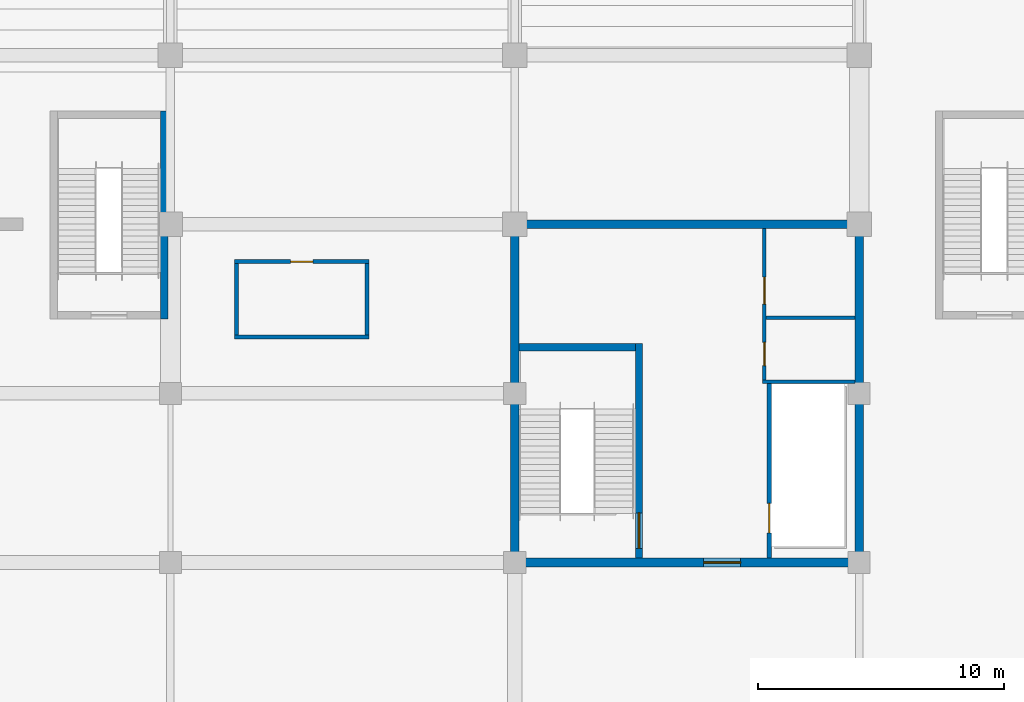
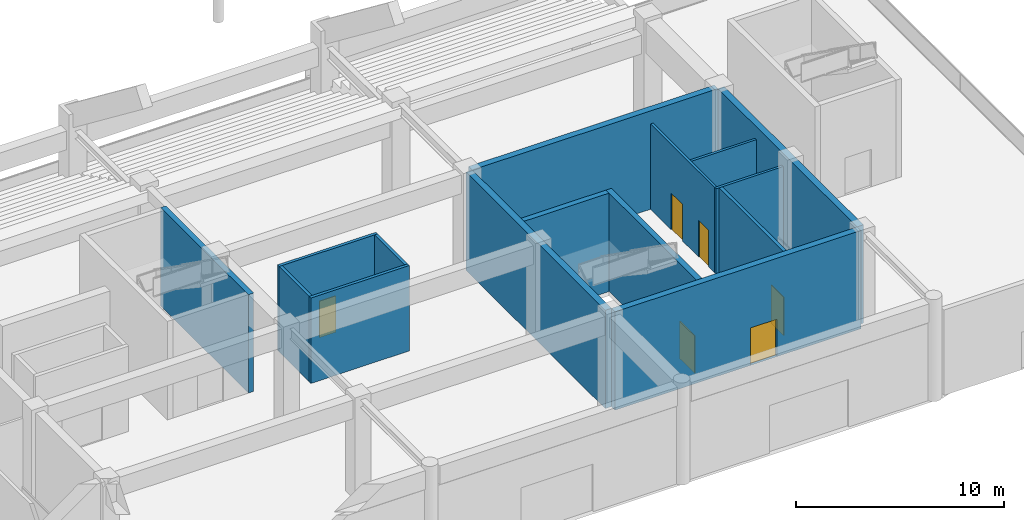
# One storey, part 40 of 73: 15 walls, 6 doors, 6 openings.
"""IFC4 building model written with IfcOpenShell, lengths in metres."""

from ifc_helpers import new_model, si_unit, direction, frame, frame_2d, origin, place, context, subcontext, project, spatial, rectangle, extrude, material, layer, layer_set, type_object, element, fill, save


model = new_model("IFC4")

# Units and contexts
model_context = context("Model", 3, precision=1e-05, world=origin(), true_north=direction((0.0, 1.0)))
body_context = subcontext(model_context, "Body", "Model", "MODEL_VIEW")
ifc_project = project(units=[si_unit("LENGTHUNIT", "METRE"), si_unit("AREAUNIT", "SQUARE_METRE"), si_unit("VOLUMEUNIT", "CUBIC_METRE"), si_unit("PLANEANGLEUNIT", "RADIAN"), si_unit("MASSUNIT", "GRAM", prefix="KILO")], contexts=[model_context])

# Site, building, storey
site_placement = place(None, origin())
site = spatial("IfcSite", under=ifc_project, at=site_placement, CompositionType="ELEMENT")
building_placement = place(site_placement, origin())
building = spatial("IfcBuilding", under=site, at=building_placement, Name="Linyun Crest Stadium", CompositionType="ELEMENT")
storey_placement = place(building_placement, origin())
storey = spatial("IfcBuildingStorey", under=building, at=storey_placement, Name="L01", CompositionType="ELEMENT", Elevation=0.0)

# Walls
ifc_material_1 = material(Name="Concrete C50", Category="concrete")
ifc_layer_1 = layer(ifc_material_1, 0.35009765625)
ifc_layer_set_1 = layer_set([ifc_layer_1], Name="Concrete C50")
wall_type_1 = type_object("IfcWallType", Name="CW01", PredefinedType="SHEAR", material=ifc_layer_set_1)
for number, where, z_axis, x_axis, name in (
    (1, (14.0, -87.074951171875, 0.0), (0.0, 0.0, 1.0), (0.0, 1.0, 0.0), "Core shear wall CW01 CORE-S2 L01.1"),
    (2, (28.0, -87.074951171875, 0.0), (0.0, 0.0, 1.0), (0.0, 1.0, 0.0), "Core shear wall CW01 CORE-S2 L01.2"),
):
    element("IfcWall", number, at=place(storey_placement, frame(where, z_axis=z_axis, x_axis=x_axis)), inside=storey, type_object=wall_type_1, Name=name, PredefinedType="SHEAR", context=body_context, shape_type="SweptSolid", body=[
        extrude(rectangle(XDim=13.39990234375, YDim=0.35009765625, at=frame_2d((6.699951171875, 0.0))), origin(), (0.0, 0.0, 1.0), 5.780029296875),
    ])

# Wall, opening, door
wall_1_placement = place(storey_placement, frame((14.175048828125, -87.25, 0.0), z_axis=(0.0, 0.0, 1.0), x_axis=(1.0, 0.0, 0.0)))
wall_1 = element("IfcWall", 3, at=wall_1_placement, inside=storey, type_object=wall_type_1, Name="Core shear wall CW01 CORE-S2 L01.3", PredefinedType="SHEAR", context=body_context, shape_type="SweptSolid", body=[
    extrude(rectangle(XDim=13.64990234375, YDim=0.35009765625, at=frame_2d((6.824951171875, 0.0))), origin(), (0.0, 0.0, 1.0), 5.780029296875),
])
opening_1_placement = place(wall_1_placement, frame((7.507080078125, 0.0, 0.0)))
opening_1 = element("IfcOpeningElement", 4, at=opening_1_placement, cuts=wall_1, Name="Opening D-L01-346", PredefinedType="OPENING", context=body_context, shape_type="SweptSolid", body=[
    extrude(rectangle(XDim=1.5, YDim=2.199951171875, at=frame_2d((0.75, 1.10009765625))), frame((0.0, 0.18505859375, 0.0), z_axis=(0.0, -1.0, 0.0), x_axis=(1.0, 0.0, 0.0)), (0.0, 0.0, 1.0), 0.3701171875),
])
ifc_material_2 = material(Name="Galvanized steel Class A fire door", Category="steel")
ifc_layer_2 = layer(ifc_material_2, 0.054931640625)
ifc_layer_set_2 = layer_set([ifc_layer_2], Name="Galvanized steel Class A fire door")
door_type_1 = type_object("IfcDoorType", Name="FD01", OperationType="NOTDEFINED", PredefinedType="DOOR", material=ifc_layer_set_2)
door_1_placement = place(opening_1_placement, origin())
door_1 = element("IfcDoor", 5, at=door_1_placement, inside=storey, type_object=door_type_1, Name="Door D-L01-346", OperationType="SINGLE_SWING_RIGHT", OverallHeight=2.199951171875, OverallWidth=1.5, PredefinedType="DOOR", context=body_context, shape_type="SweptSolid", body=[
    extrude(rectangle(XDim=1.5, YDim=2.199951171875, at=frame_2d((0.75, 1.10009765625))), frame((0.0, 0.02490234375, 0.0), z_axis=(0.0, -1.0, 0.0), x_axis=(1.0, 0.0, 0.0)), (0.0, 0.0, 1.0), 0.050048828125),
])
fill(opening_1, door_1)

# Wall
wall_2_placement = place(storey_placement, frame((14.175048828125, -73.5, 0.0), z_axis=(0.0, 0.0, 1.0), x_axis=(1.0, 0.0, 0.0)))
element("IfcWall", 6, at=wall_2_placement, inside=storey, type_object=wall_type_1, Name="Core shear wall CW01 CORE-S2 L01.4", PredefinedType="SHEAR", context=body_context, shape_type="SweptSolid", body=[
    extrude(rectangle(XDim=13.64990234375, YDim=0.35009765625, at=frame_2d((6.824951171875, 0.0))), origin(), (0.0, 0.0, 1.0), 5.780029296875),
])

# Wall, opening, door
ifc_material_3 = material(Name="Autoclaved aerated concrete block fire partition", Category="concrete")
ifc_layer_3 = layer(ifc_material_3, 0.179931640625)
ifc_layer_set_3 = layer_set([ifc_layer_3], Name="Autoclaved aerated concrete block fire partition")
wall_type_2 = type_object("IfcWallType", Name="PW12", PredefinedType="PARTITIONING", material=ifc_layer_set_3)
wall_3_placement = place(storey_placement, frame((24.35009765625, -87.074951171875, 0.0), z_axis=(0.0, 0.0, 1.0), x_axis=(0.0, 1.0, 0.0)))
wall_3 = element("IfcWall", 7, at=wall_3_placement, inside=storey, type_object=wall_type_2, Name="Partition PW12 L01 123", PredefinedType="PARTITIONING", context=body_context, shape_type="SweptSolid", body=[
    extrude(rectangle(XDim=7.10498046875, YDim=0.179931640625, at=frame_2d((3.552490234375, 0.0))), origin(), (0.0, 0.0, 1.0), 5.02001953125),
])
opening_2_placement = place(wall_3_placement, frame((1.02490234375, 0.0, 0.0)))
opening_2 = element("IfcOpeningElement", 8, at=opening_2_placement, cuts=wall_3, Name="Opening LD103", PredefinedType="OPENING", context=body_context, shape_type="SweptSolid", body=[
    extrude(rectangle(XDim=1.199951171875, YDim=2.25, at=frame_2d((0.60009765625, 1.125))), frame((0.0, 0.099853515625, 0.0), z_axis=(0.0, -1.0, 0.0), x_axis=(1.0, 0.0, 0.0)), (0.0, 0.0, 1.0), 0.199951171875),
])
ifc_material_4 = material(Name="Brushed stainless sliding lift door")
ifc_layer_4 = layer(ifc_material_4, 0.050048828125)
ifc_layer_set_4 = layer_set([ifc_layer_4], Name="Brushed stainless sliding lift door")
door_type_2 = type_object("IfcDoorType", Name="LD02", OperationType="NOTDEFINED", PredefinedType="DOOR", material=ifc_layer_set_4)
door_2_placement = place(opening_2_placement, origin())
door_2 = element("IfcDoor", 9, at=door_2_placement, inside=storey, type_object=door_type_2, Name="Lift landing door LD103", OperationType="DOUBLE_DOOR_SLIDING", OverallHeight=2.25, OverallWidth=1.199951171875, PredefinedType="DOOR", context=body_context, shape_type="SweptSolid", body=[
    extrude(rectangle(XDim=1.199951171875, YDim=2.25, at=frame_2d((0.60009765625, 1.125))), frame((0.0, 0.02490234375, 0.0), z_axis=(0.0, -1.0, 0.0), x_axis=(1.0, 0.0, 0.0)), (0.0, 0.0, 1.0), 0.050048828125),
])
fill(opening_2, door_2)

ifc_material_5 = material(Name="Double steel-stud acoustic fire partition", Category="steel")
ifc_layer_5 = layer(ifc_material_5, 0.1650390625)
ifc_layer_set_5 = layer_set([ifc_layer_5], Name="Double steel-stud acoustic fire partition")
wall_type_3 = type_object("IfcWallType", Name="PW13", PredefinedType="PARTITIONING", material=ifc_layer_set_5)
wall_4_placement = place(storey_placement, frame((2.60693359375, -75.01904296875, 0.0), z_axis=(0.0, 0.0, 1.0), x_axis=(1.0, 0.0, 0.0)))
wall_4 = element("IfcWall", 10, at=wall_4_placement, inside=storey, type_object=wall_type_3, Name="Partition PW13 L01 175", PredefinedType="PARTITIONING", context=body_context, shape_type="SweptSolid", body=[
    extrude(rectangle(XDim=5.469970703125, YDim=0.1650390625, at=frame_2d((2.73486328125, 0.0))), origin(), (0.0, 0.0, 1.0), 5.02001953125),
])
opening_3_placement = place(wall_4_placement, frame((2.284912109375, 0.0, 0.0)))
opening_3 = element("IfcOpeningElement", 11, at=opening_3_placement, cuts=wall_4, Name="Opening D-L01-438", PredefinedType="OPENING", context=body_context, shape_type="SweptSolid", body=[
    extrude(rectangle(XDim=0.89990234375, YDim=2.14990234375, at=frame_2d((0.449951171875, 1.074951171875))), frame((0.0, 0.092529296875, 0.0), z_axis=(0.0, -1.0, 0.0), x_axis=(1.0, 0.0, 0.0)), (0.0, 0.0, 1.0), 0.18505859375),
])
ifc_material_6 = material(Name="Acoustic glazed booth door")
ifc_layer_6 = layer(ifc_material_6, 0.050048828125)
ifc_layer_set_6 = layer_set([ifc_layer_6], Name="Acoustic glazed booth door")
door_type_3 = type_object("IfcDoorType", Name="ID11", OperationType="NOTDEFINED", PredefinedType="DOOR", material=ifc_layer_set_6)
door_3_placement = place(opening_3_placement, origin())
door_3 = element("IfcDoor", 12, at=door_3_placement, inside=storey, type_object=door_type_3, Name="Door D-L01-438", OperationType="SINGLE_SWING_RIGHT", OverallHeight=2.14990234375, OverallWidth=0.89990234375, PredefinedType="DOOR", context=body_context, shape_type="SweptSolid", body=[
    extrude(rectangle(XDim=0.89990234375, YDim=2.14990234375, at=frame_2d((0.449951171875, 1.074951171875))), frame((0.0, 0.02490234375, 0.0), z_axis=(0.0, -1.0, 0.0), x_axis=(1.0, 0.0, 0.0)), (0.0, 0.0, 1.0), 0.050048828125),
])
fill(opening_3, door_3)

# Walls
wall_5_placement = place(storey_placement, frame((2.60693359375, -78.0791015625, 0.0), z_axis=(0.0, 0.0, 1.0), x_axis=(1.0, 0.0, 0.0)))
element("IfcWall", 13, at=wall_5_placement, inside=storey, type_object=wall_type_3, Name="Enclosure partition PW13 L01 241", PredefinedType="PARTITIONING", context=body_context, shape_type="SweptSolid", body=[
    extrude(rectangle(XDim=5.469970703125, YDim=0.1650390625, at=frame_2d((2.73486328125, 0.0))), origin(), (0.0, 0.0, 1.0), 5.02001953125),
])
for number, where, z_axis, x_axis, name in (
    (14, (2.68994140625, -77.99609375, 0.0), (0.0, 0.0, 1.0), (0.0, 1.0, 0.0), "Enclosure partition PW13 L01 242"),
    (15, (7.993896484375, -77.99609375, 0.0), (0.0, 0.0, 1.0), (0.0, 1.0, 0.0), "Enclosure partition PW13 L01 243"),
):
    element("IfcWall", number, at=place(storey_placement, frame(where, z_axis=z_axis, x_axis=x_axis)), inside=storey, type_object=wall_type_3, Name=name, PredefinedType="PARTITIONING", context=body_context, shape_type="SweptSolid", body=[
        extrude(rectangle(XDim=2.89404296875, YDim=0.1650390625, at=frame_2d((1.447021484375, 0.0))), origin(), (0.0, 0.0, 1.0), 5.02001953125),
    ])

# Wall, openings, doors
ifc_material_7 = material(Name="Moisture-resistant ceramic-tiled wet-room wall")
ifc_layer_7 = layer(ifc_material_7, 0.139892578125)
ifc_layer_set_7 = layer_set([ifc_layer_7], Name="Moisture-resistant ceramic-tiled wet-room wall")
wall_type_4 = type_object("IfcWallType", Name="PW15", PredefinedType="PARTITIONING", material=ifc_layer_set_7)
wall_6_placement = place(storey_placement, frame((24.14990234375, -79.830078125, 0.0), z_axis=(0.0, 0.0, 1.0), x_axis=(0.0, 1.0, 0.0)))
wall_6 = element("IfcWall", 16, at=wall_6_placement, inside=storey, type_object=wall_type_4, Name="Partition PW15 L01 124", PredefinedType="PARTITIONING", context=body_context, shape_type="SweptSolid", body=[
    extrude(rectangle(XDim=6.155029296875, YDim=0.139892578125, at=frame_2d((3.07763671875, 0.0))), origin(), (0.0, 0.0, 1.0), 5.02001953125),
])
opening_4_placement = place(wall_6_placement, frame((0.580078125, 0.0, 0.0)))
opening_4 = element("IfcOpeningElement", 17, at=opening_4_placement, cuts=wall_6, Name="Opening D-L01-349", PredefinedType="OPENING", context=body_context, shape_type="SweptSolid", body=[
    extrude(rectangle(XDim=0.949951171875, YDim=2.14990234375, at=frame_2d((0.47509765625, 1.074951171875))), frame((0.0, 0.079833984375, 0.0), z_axis=(0.0, -1.0, 0.0), x_axis=(1.0, 0.0, 0.0)), (0.0, 0.0, 1.0), 0.159912109375),
])
opening_5_placement = place(wall_6_placement, frame((3.080078125, 0.0, 0.0)))
opening_5 = element("IfcOpeningElement", 18, at=opening_5_placement, cuts=wall_6, Name="Opening D-L01-350", PredefinedType="OPENING", context=body_context, shape_type="SweptSolid", body=[
    extrude(rectangle(XDim=1.10009765625, YDim=2.14990234375, at=frame_2d((0.550048828125, 1.074951171875))), frame((0.0, 0.079833984375, 0.0), z_axis=(0.0, -1.0, 0.0), x_axis=(1.0, 0.0, 0.0)), (0.0, 0.0, 1.0), 0.159912109375),
])
ifc_material_8 = material(Name="Moisture-resistant laminate leaf")
ifc_layer_8 = layer(ifc_material_8, 0.044921875)
ifc_layer_set_8 = layer_set([ifc_layer_8], Name="Moisture-resistant laminate leaf")
door_type_4 = type_object("IfcDoorType", Name="ID02", OperationType="NOTDEFINED", PredefinedType="DOOR", material=ifc_layer_set_8)
door_4_placement = place(opening_4_placement, origin())
door_4 = element("IfcDoor", 19, at=door_4_placement, inside=storey, type_object=door_type_4, Name="Door D-L01-349", OperationType="SINGLE_SWING_LEFT", OverallHeight=2.14990234375, OverallWidth=0.949951171875, PredefinedType="DOOR", context=body_context, shape_type="SweptSolid", body=[
    extrude(rectangle(XDim=0.949951171875, YDim=2.14990234375, at=frame_2d((0.47509765625, 1.074951171875))), frame((0.0, 0.02490234375, 0.0), z_axis=(0.0, -1.0, 0.0), x_axis=(1.0, 0.0, 0.0)), (0.0, 0.0, 1.0), 0.050048828125),
])
fill(opening_4, door_4)
ifc_material_9 = material(Name="Moisture-resistant laminate leaf")
ifc_layer_9 = layer(ifc_material_9, 0.044921875)
ifc_layer_set_9 = layer_set([ifc_layer_9], Name="Moisture-resistant laminate leaf")
door_type_5 = type_object("IfcDoorType", Name="ID03", OperationType="NOTDEFINED", PredefinedType="DOOR", material=ifc_layer_set_9)
door_5_placement = place(opening_5_placement, origin())
door_5 = element("IfcDoor", 20, at=door_5_placement, inside=storey, type_object=door_type_5, Name="Door D-L01-350", OperationType="SINGLE_SWING_RIGHT", OverallHeight=2.14990234375, OverallWidth=1.10009765625, PredefinedType="DOOR", context=body_context, shape_type="SweptSolid", body=[
    extrude(rectangle(XDim=1.10009765625, YDim=2.14990234375, at=frame_2d((0.550048828125, 1.074951171875))), frame((0.0, 0.02490234375, 0.0), z_axis=(0.0, -1.0, 0.0), x_axis=(1.0, 0.0, 0.0)), (0.0, 0.0, 1.0), 0.050048828125),
])
fill(opening_5, door_5)

# Walls
wall_7_placement = place(storey_placement, frame((24.080078125, -79.89990234375, 0.0), z_axis=(0.0, 0.0, 1.0), x_axis=(1.0, 0.0, 0.0)))
element("IfcWall", 21, at=wall_7_placement, inside=storey, type_object=wall_type_4, Name="Enclosure partition PW15 L01 115", PredefinedType="PARTITIONING", context=body_context, shape_type="SweptSolid", body=[
    extrude(rectangle(XDim=3.744873046875, YDim=0.139892578125, at=frame_2d((1.87255859375, 0.0))), origin(), (0.0, 0.0, 1.0), 5.02001953125),
])
wall_8_placement = place(storey_placement, frame((24.219970703125, -77.300048828125, 0.0), z_axis=(0.0, 0.0, 1.0), x_axis=(1.0, 0.0, 0.0)))
element("IfcWall", 22, at=wall_8_placement, inside=storey, type_object=wall_type_4, Name="Enclosure partition PW15 L01 116", PredefinedType="PARTITIONING", context=body_context, shape_type="SweptSolid", body=[
    extrude(rectangle(XDim=3.60498046875, YDim=0.139892578125, at=frame_2d((1.802490234375, 0.0))), origin(), (0.0, 0.0, 1.0), 5.02001953125),
])

# Wall, opening, door
ifc_material_10 = material(Name="Concrete C50", Category="concrete")
ifc_layer_10 = layer(ifc_material_10, 0.300048828125)
ifc_layer_set_10 = layer_set([ifc_layer_10], Name="Concrete C50")
wall_type_5 = type_object("IfcWallType", Name="SW01", PredefinedType="SHEAR", material=ifc_layer_set_10)
wall_9_placement = place(storey_placement, frame((19.050048828125, -87.074951171875, 0.0), z_axis=(0.0, 0.0, 1.0), x_axis=(0.0, 1.0, 0.0)))
wall_9 = element("IfcWall", 23, at=wall_9_placement, inside=storey, type_object=wall_type_5, Name="Core stair east bearing wall SW01 10 L01", PredefinedType="SHEAR", context=body_context, shape_type="SweptSolid", body=[
    extrude(rectangle(XDim=8.724853515625, YDim=0.300048828125, at=frame_2d((4.3623046875, 0.0))), origin(), (0.0, 0.0, 1.0), 5.780029296875),
])
opening_6_placement = place(wall_9_placement, frame((0.39501953125, 0.0, 0.0)))
opening_6 = element("IfcOpeningElement", 24, at=opening_6_placement, cuts=wall_9, Name="Opening D-L01-347", PredefinedType="OPENING", context=body_context, shape_type="SweptSolid", body=[
    extrude(rectangle(XDim=1.449951171875, YDim=2.199951171875, at=frame_2d((0.72509765625, 1.10009765625))), frame((0.0, 0.159912109375, 0.0), z_axis=(0.0, -1.0, 0.0), x_axis=(1.0, 0.0, 0.0)), (0.0, 0.0, 1.0), 0.320068359375),
])
ifc_material_11 = material(Name="Galvanized steel Class A fire door", Category="steel")
ifc_layer_11 = layer(ifc_material_11, 0.054931640625)
ifc_layer_set_11 = layer_set([ifc_layer_11], Name="Galvanized steel Class A fire door")
door_type_6 = type_object("IfcDoorType", Name="FD02", OperationType="NOTDEFINED", PredefinedType="DOOR", material=ifc_layer_set_11)
door_6_placement = place(opening_6_placement, origin())
door_6 = element("IfcDoor", 25, at=door_6_placement, inside=storey, type_object=door_type_6, Name="Door D-L01-347", OperationType="SINGLE_SWING_LEFT", OverallHeight=2.199951171875, OverallWidth=1.449951171875, PredefinedType="DOOR", context=body_context, shape_type="SweptSolid", body=[
    extrude(rectangle(XDim=1.449951171875, YDim=2.199951171875, at=frame_2d((0.72509765625, 1.10009765625))), frame((0.0, 0.02490234375, 0.0), z_axis=(0.0, -1.0, 0.0), x_axis=(1.0, 0.0, 0.0)), (0.0, 0.0, 1.0), 0.050048828125),
])
fill(opening_6, door_6)

# Walls
wall_10_placement = place(storey_placement, frame((14.175048828125, -78.5, 0.0), z_axis=(0.0, 0.0, 1.0), x_axis=(1.0, 0.0, 0.0)))
element("IfcWall", 26, at=wall_10_placement, inside=storey, type_object=wall_type_5, Name="Core stair bearing wall SW01 10 L01", PredefinedType="SHEAR", context=body_context, shape_type="SweptSolid", body=[
    extrude(rectangle(XDim=4.724853515625, YDim=0.300048828125, at=frame_2d((2.3623046875, 0.0))), origin(), (0.0, 0.0, 1.0), 5.780029296875),
])
wall_11_placement = place(storey_placement, frame((-0.25, -77.35009765625, 0.0), z_axis=(0.0, 0.0, 1.0), x_axis=(0.0, 1.0, 0.0)))
element("IfcWall", 27, at=wall_11_placement, inside=storey, type_object=wall_type_5, Name="Stair shaft wall SW01 STR-28 L01 E", PredefinedType="SHEAR", context=body_context, shape_type="SweptSolid", body=[
    extrude(rectangle(XDim=8.4501953125, YDim=0.300048828125, at=frame_2d((4.22509765625, 0.0))), origin(), (0.0, 0.0, 1.0), 5.780029296875),
])

save(model, "model.ifc")
